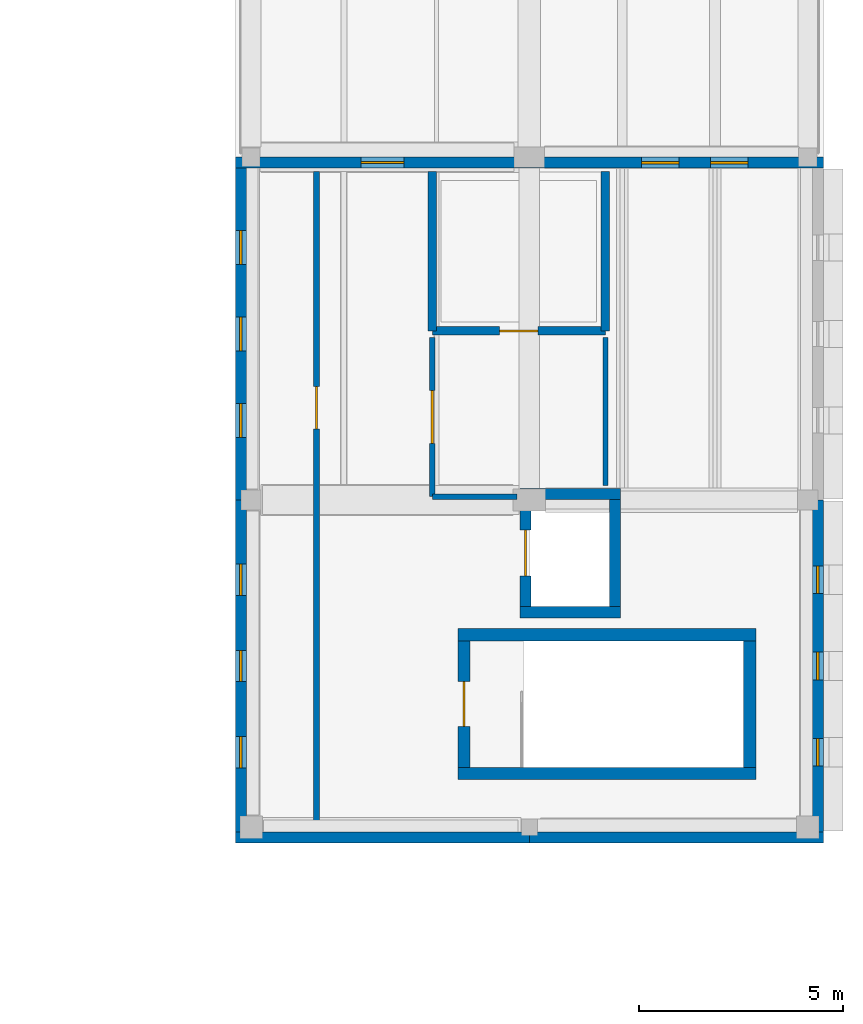
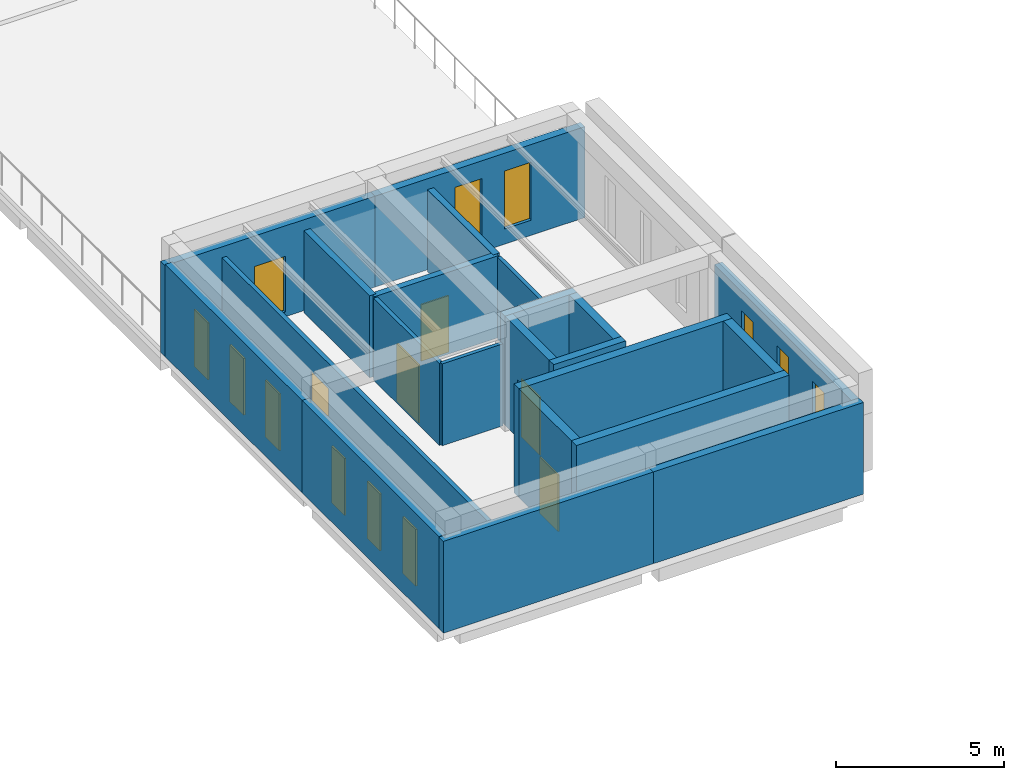
# One storey, part 25 of 34: 22 walls, 11 windows, 6 doors, 17 openings.
"""IFC4 building model written with IfcOpenShell, lengths in metres."""

import ifcopenshell
import ifcopenshell.guid

model = None  # the IFC model being written
_history = None  # IfcOwnerHistory: only IFC2X3 demands one
_inside = {}  # id of a spatial element -> (the spatial element, [elements in it])
_under = {}  # id of a project, library or spatial element -> (it, [spatial elements below it])
_declared = {}  # id of a project -> (the project, [libraries it declares])
_typed = {}  # id of a type object -> (the type object, [elements of that type])
_made_of = {}  # id of a material, layer set ... -> (it, [elements and type objects made of it])


def new_model(schema):
    """Start an empty IFC model of exactly this schema.

    Asked for "IFC4X3", IfcOpenShell would pick the latest addendum, in which some entities
    have other attributes; the version numbers below select the first issue.
    IFC2X3 requires an IfcOwnerHistory on every rooted entity: one is made here for all.
    """
    global model, _history
    if schema == "IFC4X3":
        model = ifcopenshell.file(schema_version=(4, 3, 0, 0))
    else:
        model = ifcopenshell.file(schema=schema)
    _inside.clear()
    _under.clear()
    _declared.clear()
    _typed.clear()
    _made_of.clear()
    _history = None
    if model.schema == "IFC2X3":
        org = make("IfcOrganization", Name="unknown")
        user = make(
            "IfcPersonAndOrganization",
            ThePerson=make("IfcPerson", FamilyName="unknown"),
            TheOrganization=org,
        )
        app = make(
            "IfcApplication",
            ApplicationDeveloper=org,
            Version="unknown",
            ApplicationFullName="unknown",
            ApplicationIdentifier="unknown",
        )
        _history = make(
            "IfcOwnerHistory",
            OwningUser=user,
            OwningApplication=app,
            ChangeAction="ADDED",
            CreationDate=0,
        )
    return model


def make(cls, **values):
    """One entity of the class cls with the attributes given. An attribute that is None is left unset."""
    return model.create_entity(
        cls, **{name: value for name, value in values.items() if value is not None}
    )


def rooted(cls, **values):
    """An entity with a GlobalId (a new one), such as an element, a storey or a relation."""
    return make(cls, GlobalId=ifcopenshell.guid.new(), OwnerHistory=_history, **values)


def si_unit(unit_type, name, prefix=None):
    """IfcSIUnit, for example si_unit("LENGTHUNIT", "METRE", prefix="MILLI")."""
    return make("IfcSIUnit", UnitType=unit_type, Prefix=prefix, Name=name)


def assignment(units):
    """IfcUnitAssignment: the units of a project."""
    return None if units is None else make("IfcUnitAssignment", Units=units)


def point(xyz):
    """IfcCartesianPoint."""
    return None if xyz is None else make("IfcCartesianPoint", Coordinates=xyz)


def direction(xyz):
    """IfcDirection."""
    return None if xyz is None else make("IfcDirection", DirectionRatios=xyz)


def frame(location, z_axis=None, x_axis=None):
    """IfcAxis2Placement3D, a coordinate frame: its origin and axes. An axis left out is left unset."""
    return make(
        "IfcAxis2Placement3D",
        Location=point(location),
        Axis=direction(z_axis),
        RefDirection=direction(x_axis),
    )


def frame_2d(location, x_axis=None):
    """IfcAxis2Placement2D, a coordinate frame in the plane: its origin and x axis."""
    return make(
        "IfcAxis2Placement2D", Location=point(location), RefDirection=direction(x_axis)
    )


def origin():
    """The frame at (0, 0, 0) with its axes left unset."""
    return frame((0.0, 0.0, 0.0))


def place(relative_to, where):
    """IfcLocalPlacement: puts the frame where relative to a parent placement (None: the world)."""
    return make(
        "IfcLocalPlacement", PlacementRelTo=relative_to, RelativePlacement=where
    )


def context(
    kind, dimensions, precision=None, world=None, true_north=None, identifier=None
):
    """IfcGeometricRepresentationContext, for example the 3D "Model" context."""
    return make(
        "IfcGeometricRepresentationContext",
        ContextIdentifier=identifier,
        ContextType=kind,
        CoordinateSpaceDimension=dimensions,
        Precision=precision,
        WorldCoordinateSystem=world,
        TrueNorth=true_north,
    )


def subcontext(parent, identifier, kind, view, scale=None):
    """IfcGeometricRepresentationSubContext, for example "Body" below "Model"."""
    return make(
        "IfcGeometricRepresentationSubContext",
        ContextIdentifier=identifier,
        ContextType=kind,
        ParentContext=parent,
        TargetScale=scale,
        TargetView=view,
    )


def project(units=None, contexts=None):
    """IfcProject with its units and contexts."""
    return rooted(
        "IfcProject",
        Name="project",
        RepresentationContexts=contexts,
        UnitsInContext=assignment(units),
    )


def spatial(cls, under=None, at=None, **own):
    """A site, building, storey or space (cls), placed at a placement, below another one or the project."""
    s = rooted(cls, ObjectPlacement=at, **own)
    if under is not None:
        _under.setdefault(under.id(), (under, []))[1].append(s)
    return s


def profile(cls, at=None, kind="AREA", **sizes):
    """A parametric profile (cls). Its sizes go by their IFC names, for example OverallWidth=200.0."""
    return make(cls, ProfileType=kind, Position=at, **sizes)


def rectangle(**sizes):
    """IfcRectangleProfileDef."""
    return profile("IfcRectangleProfileDef", **sizes)


def extrude(swept, where, along, depth):
    """IfcExtrudedAreaSolid: the profile swept, set in the frame where, extruded along a direction by depth."""
    return make(
        "IfcExtrudedAreaSolid",
        SweptArea=swept,
        Position=where,
        ExtrudedDirection=direction(along),
        Depth=depth,
    )


def shape(context_of_items, identifier, shape_type, items):
    """IfcShapeRepresentation: the items that make up one representation, for example the "Body"."""
    return make(
        "IfcShapeRepresentation",
        ContextOfItems=context_of_items,
        RepresentationIdentifier=identifier,
        RepresentationType=shape_type,
        Items=items,
    )


def material(Name=None, Category=None):
    """IfcMaterial."""
    return make("IfcMaterial", Name=Name, Category=Category)


def layer(
    of_material, thickness, ventilated=None, Name=None, Category=None, Priority=None
):
    """IfcMaterialLayer: one layer of a wall or slab, of a material (None: an air gap)."""
    return make(
        "IfcMaterialLayer",
        Material=of_material,
        LayerThickness=thickness,
        IsVentilated=ventilated,
        Name=Name,
        Category=Category,
        Priority=Priority,
    )


def layer_set(layers, Name=None):
    """IfcMaterialLayerSet."""
    return make("IfcMaterialLayerSet", MaterialLayers=layers, LayerSetName=Name)


def made_of(thing, what):
    """Note that an element or type object is made of a material, layer set ...; save() writes the relation."""
    if what is not None:
        _made_of.setdefault(what.id(), (what, []))[1].append(thing)
    return thing


def type_object(cls, material=None, **own):
    """A type object (cls), such as IfcWallType, which elements share."""
    return made_of(rooted(cls, **own), material)


def element(
    cls,
    number,
    at=None,
    inside=None,
    cuts=None,
    type_object=None,
    material=None,
    context=None,
    identifier="Body",
    shape_type=None,
    held_by="IfcProductDefinitionShape",
    body=None,
    shapes=None,
    **own,
):
    """One element of the class cls, such as IfcWall. Its Tag is "e" and its number.

    at: its placement. inside: the storey or other place that contains it. cuts: it is an
    opening in that element (IfcRelVoidsElement). A single representation is given by context,
    identifier, shape_type and body (its items); several are given by shapes. held_by: the class
    of the entity that holds the representations. save() writes the other relations.
    """
    e = rooted(cls, Tag="e%d" % number, ObjectPlacement=at, **own)
    if body is not None:
        shapes = [shape(context, identifier, shape_type, body)]
    if shapes is not None:
        e.Representation = make(held_by, Representations=shapes)
    if inside is not None:
        _inside.setdefault(inside.id(), (inside, []))[1].append(e)
    if cuts is not None:
        rooted(
            "IfcRelVoidsElement", RelatingBuildingElement=cuts, RelatedOpeningElement=e
        )
    if type_object is not None:
        _typed.setdefault(type_object.id(), (type_object, []))[1].append(e)
    return made_of(e, material)


def fill(opening, filler):
    """IfcRelFillsElement: the door or window that sits in an opening."""
    return rooted(
        "IfcRelFillsElement",
        RelatingOpeningElement=opening,
        RelatedBuildingElement=filler,
    )


def aggregate(whole, parts):
    """IfcRelAggregates: a whole, such as a stair, and the parts it consists of."""
    return rooted("IfcRelAggregates", RelatingObject=whole, RelatedObjects=parts)


def save(model, path):
    """Write the relations noted so far, then the file.

    IfcRelAggregates (storeys below a building ...), IfcRelContainedInSpatialStructure (elements
    in a storey), IfcRelDefinesByType, IfcRelAssociatesMaterial and IfcRelDeclares: one each for
    every whole, place, type object, material and project.
    """
    for whole, parts in _under.values():
        aggregate(whole, parts)
    for where, things in _inside.values():
        rooted(
            "IfcRelContainedInSpatialStructure",
            RelatedElements=things,
            RelatingStructure=where,
        )
    for kind, things in _typed.values():
        rooted("IfcRelDefinesByType", RelatedObjects=things, RelatingType=kind)
    for what, things in _made_of.values():
        rooted("IfcRelAssociatesMaterial", RelatedObjects=things, RelatingMaterial=what)
    for by, libraries in _declared.values():
        rooted("IfcRelDeclares", RelatingContext=by, RelatedDefinitions=libraries)
    model.write(path)


model = new_model("IFC4")

# Units and contexts
model_context = context("Model", 3, precision=1e-05, world=origin(), true_north=direction((0.0, 1.0)))
body_context = subcontext(model_context, "Body", "Model", "MODEL_VIEW")
ifc_project = project(units=[si_unit("LENGTHUNIT", "METRE"), si_unit("AREAUNIT", "SQUARE_METRE"), si_unit("VOLUMEUNIT", "CUBIC_METRE"), si_unit("PLANEANGLEUNIT", "RADIAN"), si_unit("MASSUNIT", "GRAM", prefix="KILO")], contexts=[model_context])

# Site, building, storey
site_placement = place(None, origin())
site = spatial("IfcSite", under=ifc_project, at=site_placement, CompositionType="ELEMENT")
building_placement = place(site_placement, origin())
building = spatial("IfcBuilding", under=site, at=building_placement, Name="Vardoun Plaza Health Centre", CompositionType="ELEMENT")
storey_placement = place(building_placement, frame((0.0, 0.0, 12.89990234375)))
storey = spatial("IfcBuildingStorey", under=building, at=storey_placement, Name="L03", CompositionType="ELEMENT", Elevation=12.89990234375)

# Wall
ifc_material_1 = material(Name="Concrete C40/50", Category="concrete")
ifc_layer_1 = layer(ifc_material_1, 0.27001953125)
ifc_layer_set_1 = layer_set([ifc_layer_1], Name="Concrete C40/50")
wall_type_1 = type_object("IfcWallType", Name="SW-03", PredefinedType="SHEAR", material=ifc_layer_set_1)
wall_1_placement = place(storey_placement, frame((160.3349609375, 41.949951171875, 0.0), z_axis=(0.0, 0.0, 1.0), x_axis=(-1.0, 0.0, 0.0)))
element("IfcWall", 1, at=wall_1_placement, inside=storey, type_object=wall_type_1, Name="Lift LP-05 L03 Shaft Wall S", PredefinedType="SHEAR", context=body_context, shape_type="SweptSolid", body=[
    extrude(rectangle(XDim=2.469970703125, YDim=0.27001953125, at=frame_2d((1.23486328125, 0.0))), origin(), (0.0, 0.0, 1.0), 3.9501953125),
])

# Wall, opening, door
wall_2_placement = place(storey_placement, frame((158.0, 42.0849609375, 0.0), z_axis=(0.0, 0.0, 1.0), x_axis=(0.0, 1.0, 0.0)))
wall_2 = element("IfcWall", 2, at=wall_2_placement, inside=storey, type_object=wall_type_1, Name="Lift LP-05 L03 Shaft Wall W", PredefinedType="SHEAR", context=body_context, shape_type="SweptSolid", body=[
    extrude(rectangle(XDim=2.630126953125, YDim=0.27001953125, at=frame_2d((1.31494140625, 0.0))), origin(), (0.0, 0.0, 1.0), 3.9501953125),
])
opening_1_placement = place(wall_2_placement, frame((0.7548828125, 0.0, 0.0)))
opening_1 = element("IfcOpeningElement", 3, at=opening_1_placement, cuts=wall_2, Name="Opening LD-LP-05-L03", PredefinedType="OPENING", context=body_context, shape_type="SweptSolid", body=[
    extrude(rectangle(XDim=1.1201171875, YDim=2.10009765625, at=frame_2d((0.56005859375, 1.050048828125))), frame((0.0, 0.135009765625, 0.0), z_axis=(0.0, -1.0, 0.0), x_axis=(1.0, 0.0, 0.0)), (0.0, 0.0, 1.0), 0.27001953125),
])
ifc_material_2 = material(Name="Brushed Stainless Steel Grade 316L", Category="steel")
door_type_1 = type_object("IfcDoorType", Name="LD-01", OperationType="DOUBLE_DOOR_SLIDING", PredefinedType="DOOR", material=ifc_material_2)
door_1_placement = place(opening_1_placement, origin())
door_1 = element("IfcDoor", 4, at=door_1_placement, inside=storey, type_object=door_type_1, Name="Lift LP-05 L03 Sliding Landing Door", OperationType="DOUBLE_DOOR_SLIDING", OverallHeight=2.10009765625, OverallWidth=1.1201171875, PredefinedType="DOOR", context=body_context, shape_type="SweptSolid", body=[
    extrude(rectangle(XDim=1.1201171875, YDim=2.10009765625, at=frame_2d((0.56005859375, 1.050048828125))), frame((0.0, 0.02490234375, 0.0), z_axis=(0.0, -1.0, 0.0), x_axis=(1.0, 0.0, 0.0)), (0.0, 0.0, 1.0), 0.050048828125),
])
fill(opening_1, door_1)

# Walls
wall_3_placement = place(storey_placement, frame((157.864990234375, 44.85009765625, 0.0), z_axis=(0.0, 0.0, 1.0), x_axis=(1.0, 0.0, 0.0)))
element("IfcWall", 5, at=wall_3_placement, inside=storey, type_object=wall_type_1, Name="Lift LP-05 L03 Shaft Wall N", PredefinedType="SHEAR", context=body_context, shape_type="SweptSolid", body=[
    extrude(rectangle(XDim=2.469970703125, YDim=0.27001953125, at=frame_2d((1.23486328125, 0.0))), origin(), (0.0, 0.0, 1.0), 3.9501953125),
])
wall_4_placement = place(storey_placement, frame((160.199951171875, 44.715087890625, 0.0), z_axis=(0.0, 0.0, 1.0), x_axis=(0.0, -1.0, 0.0)))
element("IfcWall", 6, at=wall_4_placement, inside=storey, type_object=wall_type_1, Name="Lift LP-05 L03 Shaft Wall E", PredefinedType="SHEAR", context=body_context, shape_type="SweptSolid", body=[
    extrude(rectangle(XDim=2.630126953125, YDim=0.27001953125, at=frame_2d((1.31494140625, 0.0))), origin(), (0.0, 0.0, 1.0), 3.9501953125),
])
ifc_material_3 = material(Name="Concrete C40/50", Category="concrete")
ifc_layer_2 = layer(ifc_material_3, 0.300048828125)
ifc_layer_set_2 = layer_set([ifc_layer_2], Name="Concrete C40/50")
wall_type_2 = type_object("IfcWallType", Name="SW-01", PredefinedType="SHEAR", material=ifc_layer_set_2)
wall_5_placement = place(storey_placement, frame((163.64990234375, 38.0, 0.0), z_axis=(0.0, 0.0, 1.0), x_axis=(-1.0, 0.0, 0.0)))
element("IfcWall", 7, at=wall_5_placement, inside=storey, type_object=wall_type_2, Name="Core C10 L03 Shear Wall S", PredefinedType="SHEAR", context=body_context, shape_type="SweptSolid", body=[
    extrude(rectangle(XDim=7.2998046875, YDim=0.300048828125, at=frame_2d((3.64990234375, 0.0))), origin(), (0.0, 0.0, 1.0), 3.9501953125),
])

# Wall, opening, door
wall_6_placement = place(storey_placement, frame((156.5, 38.14990234375, 0.0), z_axis=(0.0, 0.0, 1.0), x_axis=(0.0, 1.0, 0.0)))
wall_6 = element("IfcWall", 8, at=wall_6_placement, inside=storey, type_object=wall_type_2, Name="Core C10 L03 Shear Wall W", PredefinedType="SHEAR", context=body_context, shape_type="SweptSolid", body=[
    extrude(rectangle(XDim=3.10009765625, YDim=0.300048828125, at=frame_2d((1.550048828125, 0.0))), origin(), (0.0, 0.0, 1.0), 3.9501953125),
])
opening_2_placement = place(wall_6_placement, frame((1.0, 0.0, 0.0)))
opening_2 = element("IfcOpeningElement", 9, at=opening_2_placement, cuts=wall_6, Name="Opening SD-C10-L03", PredefinedType="OPENING", context=body_context, shape_type="SweptSolid", body=[
    extrude(rectangle(XDim=1.10009765625, YDim=2.050048828125, at=frame_2d((0.550048828125, 1.02490234375))), frame((0.0, 0.14990234375, 0.0), z_axis=(0.0, -1.0, 0.0), x_axis=(1.0, 0.0, 0.0)), (0.0, 0.0, 1.0), 0.300048828125),
])
ifc_material_4 = material(Name="Brushed Stainless Steel Grade 316L", Category="steel")
door_type_2 = type_object("IfcDoorType", Name="FD-01", OperationType="NOTDEFINED", PredefinedType="DOOR", material=ifc_material_4)
door_2_placement = place(opening_2_placement, origin())
door_2 = element("IfcDoor", 10, at=door_2_placement, inside=storey, type_object=door_type_2, Name="Stair C10 L03 Fire Door", OperationType="SINGLE_SWING_LEFT", OverallHeight=2.050048828125, OverallWidth=1.10009765625, PredefinedType="DOOR", context=body_context, shape_type="SweptSolid", body=[
    extrude(rectangle(XDim=1.10009765625, YDim=2.050048828125, at=frame_2d((0.550048828125, 1.02490234375))), frame((0.0, 0.02490234375, 0.0), z_axis=(0.0, -1.0, 0.0), x_axis=(1.0, 0.0, 0.0)), (0.0, 0.0, 1.0), 0.050048828125),
])
fill(opening_2, door_2)

# Walls
wall_7_placement = place(storey_placement, frame((156.35009765625, 41.39990234375, 0.0), z_axis=(0.0, 0.0, 1.0), x_axis=(1.0, 0.0, 0.0)))
element("IfcWall", 11, at=wall_7_placement, inside=storey, type_object=wall_type_2, Name="Core C10 L03 Shear Wall N", PredefinedType="SHEAR", context=body_context, shape_type="SweptSolid", body=[
    extrude(rectangle(XDim=7.2998046875, YDim=0.300048828125, at=frame_2d((3.64990234375, 0.0))), origin(), (0.0, 0.0, 1.0), 3.9501953125),
])
wall_8_placement = place(storey_placement, frame((163.5, 41.25, 0.0), z_axis=(0.0, 0.0, 1.0), x_axis=(0.0, -1.0, 0.0)))
element("IfcWall", 12, at=wall_8_placement, inside=storey, type_object=wall_type_2, Name="Core C10 L03 Shear Wall E", PredefinedType="SHEAR", context=body_context, shape_type="SweptSolid", body=[
    extrude(rectangle(XDim=3.10009765625, YDim=0.300048828125, at=frame_2d((1.550048828125, 0.0))), origin(), (0.0, 0.0, 1.0), 3.9501953125),
])

# Wall, opening, door
ifc_material_5 = material(Name="Pale Limestone Concrete C35/45", Category="masonry")
ifc_layer_3 = layer(ifc_material_5, 0.264892578125)
ifc_layer_set_3 = layer_set([ifc_layer_3], Name="Pale Limestone Concrete C35/45")
wall_type_3 = type_object("IfcWallType", Name="EW-06", PredefinedType="STANDARD", material=ifc_layer_set_3)
wall_9_placement = place(storey_placement, frame((150.89990234375, 52.967529296875, 0.0), z_axis=(0.0, 0.0, 1.0), x_axis=(1.0, 0.0, 0.0)))
wall_9 = element("IfcWall", 13, at=wall_9_placement, inside=storey, type_object=wall_type_3, Name="V6 L03 Exterior Wall EW-V6-445", PredefinedType="STANDARD", context=body_context, shape_type="SweptSolid", body=[
    extrude(rectangle(XDim=7.2001953125, YDim=0.264892578125, at=frame_2d((3.60009765625, 0.0))), origin(), (0.0, 0.0, 1.0), 3.295166015625),
])
opening_3_placement = place(wall_9_placement, frame((3.074951171875, 0.0, 0.169921875)))
opening_3 = element("IfcOpeningElement", 14, at=opening_3_placement, cuts=wall_9, Name="Opening TD-V6-L03", PredefinedType="OPENING", context=body_context, shape_type="SweptSolid", body=[
    extrude(rectangle(XDim=1.050048828125, YDim=2.02001953125, at=frame_2d((0.52490234375, 1.010009765625))), frame((0.0, 0.13232421875, 0.0), z_axis=(0.0, -1.0, 0.0), x_axis=(1.0, 0.0, 0.0)), (0.0, 0.0, 1.0), 0.264892578125),
])
ifc_material_6 = material(Name="Aluminium Alloy EN AW-6063-T6 Garden Door", Category="aluminium")
door_type_3 = type_object("IfcDoorType", Name="ED-05", OperationType="NOTDEFINED", PredefinedType="DOOR", material=ifc_material_6)
door_3_placement = place(opening_3_placement, origin())
door_3 = element("IfcDoor", 15, at=door_3_placement, inside=storey, type_object=door_type_3, Name="V6 Therapy Roof-Garden Access Door", OperationType="SINGLE_SWING_LEFT", OverallHeight=2.02001953125, OverallWidth=1.050048828125, PredefinedType="DOOR", context=body_context, shape_type="SweptSolid", body=[
    extrude(rectangle(XDim=1.050048828125, YDim=2.02001953125, at=frame_2d((0.52490234375, 1.010009765625))), frame((0.0, 0.02490234375, 0.0), z_axis=(0.0, -1.0, 0.0), x_axis=(1.0, 0.0, 0.0)), (0.0, 0.0, 1.0), 0.050048828125),
])
fill(opening_3, door_3)

# Wall, openings, windows
wall_10_placement = place(storey_placement, frame((158.10009765625, 52.967529296875, 0.0), z_axis=(0.0, 0.0, 1.0), x_axis=(1.0, 0.0, 0.0)))
wall_10 = element("IfcWall", 16, at=wall_10_placement, inside=storey, type_object=wall_type_3, Name="V6 L03 Exterior Wall EW-V6-446", PredefinedType="STANDARD", context=body_context, shape_type="SweptSolid", body=[
    extrude(rectangle(XDim=7.199951171875, YDim=0.264892578125, at=frame_2d((3.60009765625, 0.0))), origin(), (0.0, 0.0, 1.0), 3.295166015625),
])
opening_4_placement = place(wall_10_placement, frame((2.743896484375, 0.0, 0.550048828125)))
opening_4 = element("IfcOpeningElement", 17, at=opening_4_placement, cuts=wall_10, Name="Opening W-19-010", PredefinedType="OPENING", context=body_context, shape_type="SweptSolid", body=[
    extrude(rectangle(XDim=0.919921875, YDim=2.10009765625, at=frame_2d((0.4599609375, 1.050048828125))), frame((0.0, 0.13232421875, 0.0), z_axis=(0.0, -1.0, 0.0), x_axis=(1.0, 0.0, 0.0)), (0.0, 0.0, 1.0), 0.264892578125),
])
opening_5_placement = place(wall_10_placement, frame((4.43603515625, 0.0, 0.550048828125)))
opening_5 = element("IfcOpeningElement", 18, at=opening_5_placement, cuts=wall_10, Name="Opening W-19-011", PredefinedType="OPENING", context=body_context, shape_type="SweptSolid", body=[
    extrude(rectangle(XDim=0.919921875, YDim=2.10009765625, at=frame_2d((0.4599609375, 1.050048828125))), frame((0.0, 0.13232421875, 0.0), z_axis=(0.0, -1.0, 0.0), x_axis=(1.0, 0.0, 0.0)), (0.0, 0.0, 1.0), 0.264892578125),
])
ifc_material_7 = material(Name="Aluminium Alloy EN AW-6063-T6 and Low-E Glass", Category="aluminium")
window_type_1 = type_object("IfcWindowType", Name="W-19", PartitioningType="DOUBLE_PANEL_VERTICAL", PredefinedType="WINDOW", material=ifc_material_7)
window_1_placement = place(opening_4_placement, origin())
window_1 = element("IfcWindow", 19, at=window_1_placement, inside=storey, type_object=window_type_1, Name="V6 L03 Deep-Punched Slot Window W-19-696", OverallHeight=2.10009765625, OverallWidth=0.919921875, PartitioningType="DOUBLE_PANEL_VERTICAL", PredefinedType="WINDOW", context=body_context, shape_type="SweptSolid", body=[
    extrude(rectangle(XDim=0.919921875, YDim=2.10009765625, at=frame_2d((0.4599609375, 1.050048828125))), frame((0.0, 0.030029296875, 0.0), z_axis=(0.0, -1.0, 0.0), x_axis=(1.0, 0.0, 0.0)), (0.0, 0.0, 1.0), 0.06005859375),
])
fill(opening_4, window_1)
window_2_placement = place(opening_5_placement, origin())
window_2 = element("IfcWindow", 20, at=window_2_placement, inside=storey, type_object=window_type_1, Name="V6 L03 Deep-Punched Slot Window W-19-697", OverallHeight=2.10009765625, OverallWidth=0.919921875, PartitioningType="DOUBLE_PANEL_VERTICAL", PredefinedType="WINDOW", context=body_context, shape_type="SweptSolid", body=[
    extrude(rectangle(XDim=0.919921875, YDim=2.10009765625, at=frame_2d((0.4599609375, 1.050048828125))), frame((0.0, 0.030029296875, 0.0), z_axis=(0.0, -1.0, 0.0), x_axis=(1.0, 0.0, 0.0)), (0.0, 0.0, 1.0), 0.06005859375),
])
fill(opening_5, window_2)

wall_11_placement = place(storey_placement, frame((165.16748046875, 44.699951171875, 0.0), z_axis=(0.0, 0.0, 1.0), x_axis=(0.0, -1.0, 0.0)))
wall_11 = element("IfcWall", 21, at=wall_11_placement, inside=storey, type_object=wall_type_3, Name="V6 L03 Exterior Wall EW-V6-448", PredefinedType="STANDARD", context=body_context, shape_type="SweptSolid", body=[
    extrude(rectangle(XDim=8.135009765625, YDim=0.264892578125, at=frame_2d((4.0673828125, 0.0))), origin(), (0.0, 0.0, 1.0), 3.3251953125),
])
opening_6_placement = place(wall_11_placement, frame((1.6123046875, 0.0, 0.550048828125)))
opening_6 = element("IfcOpeningElement", 22, at=opening_6_placement, cuts=wall_11, Name="Opening W-22-013", PredefinedType="OPENING", context=body_context, shape_type="SweptSolid", body=[
    extrude(rectangle(XDim=0.679931640625, YDim=2.080078125, at=frame_2d((0.33984375, 1.0400390625))), frame((0.0, 0.13232421875, 0.0), z_axis=(0.0, -1.0, 0.0), x_axis=(1.0, 0.0, 0.0)), (0.0, 0.0, 1.0), 0.264892578125),
])
opening_7_placement = place(wall_11_placement, frame((3.7275390625, 0.0, 0.550048828125)))
opening_7 = element("IfcOpeningElement", 23, at=opening_7_placement, cuts=wall_11, Name="Opening W-22-014", PredefinedType="OPENING", context=body_context, shape_type="SweptSolid", body=[
    extrude(rectangle(XDim=0.679931640625, YDim=2.080078125, at=frame_2d((0.33984375, 1.0400390625))), frame((0.0, 0.13232421875, 0.0), z_axis=(0.0, -1.0, 0.0), x_axis=(1.0, 0.0, 0.0)), (0.0, 0.0, 1.0), 0.264892578125),
])
opening_8_placement = place(wall_11_placement, frame((5.842529296875, 0.0, 0.550048828125)))
opening_8 = element("IfcOpeningElement", 24, at=opening_8_placement, cuts=wall_11, Name="Opening W-22-015", PredefinedType="OPENING", context=body_context, shape_type="SweptSolid", body=[
    extrude(rectangle(XDim=0.679931640625, YDim=2.080078125, at=frame_2d((0.33984375, 1.0400390625))), frame((0.0, 0.13232421875, 0.0), z_axis=(0.0, -1.0, 0.0), x_axis=(1.0, 0.0, 0.0)), (0.0, 0.0, 1.0), 0.264892578125),
])
ifc_material_8 = material(Name="Aluminium Alloy EN AW-6063-T6 and Low-E Glass", Category="aluminium")
window_type_2 = type_object("IfcWindowType", Name="W-22", PartitioningType="SINGLE_PANEL", PredefinedType="WINDOW", material=ifc_material_8)
window_3_placement = place(opening_6_placement, origin())
window_3 = element("IfcWindow", 25, at=window_3_placement, inside=storey, type_object=window_type_2, Name="V6 L03 Deep-Punched Slot Window W-22-701", OverallHeight=2.080078125, OverallWidth=0.679931640625, PartitioningType="SINGLE_PANEL", PredefinedType="WINDOW", context=body_context, shape_type="SweptSolid", body=[
    extrude(rectangle(XDim=0.679931640625, YDim=2.080078125, at=frame_2d((0.33984375, 1.0400390625))), frame((0.0, 0.030029296875, 0.0), z_axis=(0.0, -1.0, 0.0), x_axis=(1.0, 0.0, 0.0)), (0.0, 0.0, 1.0), 0.06005859375),
])
fill(opening_6, window_3)
window_4_placement = place(opening_7_placement, origin())
window_4 = element("IfcWindow", 26, at=window_4_placement, inside=storey, type_object=window_type_2, Name="V6 L03 Deep-Punched Slot Window W-22-702", OverallHeight=2.080078125, OverallWidth=0.679931640625, PartitioningType="SINGLE_PANEL", PredefinedType="WINDOW", context=body_context, shape_type="SweptSolid", body=[
    extrude(rectangle(XDim=0.679931640625, YDim=2.080078125, at=frame_2d((0.33984375, 1.0400390625))), frame((0.0, 0.030029296875, 0.0), z_axis=(0.0, -1.0, 0.0), x_axis=(1.0, 0.0, 0.0)), (0.0, 0.0, 1.0), 0.06005859375),
])
fill(opening_7, window_4)
window_5_placement = place(opening_8_placement, origin())
window_5 = element("IfcWindow", 27, at=window_5_placement, inside=storey, type_object=window_type_2, Name="V6 L03 Deep-Punched Slot Window W-22-703", OverallHeight=2.080078125, OverallWidth=0.679931640625, PartitioningType="SINGLE_PANEL", PredefinedType="WINDOW", context=body_context, shape_type="SweptSolid", body=[
    extrude(rectangle(XDim=0.679931640625, YDim=2.080078125, at=frame_2d((0.33984375, 1.0400390625))), frame((0.0, 0.030029296875, 0.0), z_axis=(0.0, -1.0, 0.0), x_axis=(1.0, 0.0, 0.0)), (0.0, 0.0, 1.0), 0.06005859375),
])
fill(opening_8, window_5)

# Walls
wall_12_placement = place(storey_placement, frame((165.300048828125, 36.4326171875, 0.0), z_axis=(0.0, 0.0, 1.0), x_axis=(-1.0, 0.0, 0.0)))
element("IfcWall", 28, at=wall_12_placement, inside=storey, type_object=wall_type_3, Name="V6 L03 Exterior Wall EW-V6-449", PredefinedType="STANDARD", context=body_context, shape_type="SweptSolid", body=[
    extrude(rectangle(XDim=7.199951171875, YDim=0.264892578125, at=frame_2d((3.60009765625, 0.0))), origin(), (0.0, 0.0, 1.0), 3.3251953125),
])
wall_13_placement = place(storey_placement, frame((158.10009765625, 36.4326171875, 0.0), z_axis=(0.0, 0.0, 1.0), x_axis=(-1.0, 0.0, 0.0)))
element("IfcWall", 29, at=wall_13_placement, inside=storey, type_object=wall_type_3, Name="V6 L03 Exterior Wall EW-V6-450", PredefinedType="STANDARD", context=body_context, shape_type="SweptSolid", body=[
    extrude(rectangle(XDim=7.2001953125, YDim=0.264892578125, at=frame_2d((3.60009765625, 0.0))), origin(), (0.0, 0.0, 1.0), 3.3251953125),
])

# Wall, openings, windows
wall_14_placement = place(storey_placement, frame((151.032470703125, 36.56494140625, 0.0), z_axis=(0.0, 0.0, 1.0), x_axis=(0.0, 1.0, 0.0)))
wall_14 = element("IfcWall", 30, at=wall_14_placement, inside=storey, type_object=wall_type_3, Name="V6 L03 Exterior Wall EW-V6-451", PredefinedType="STANDARD", context=body_context, shape_type="SweptSolid", body=[
    extrude(rectangle(XDim=8.135009765625, YDim=0.264892578125, at=frame_2d((4.0673828125, 0.0))), origin(), (0.0, 0.0, 1.0), 3.34521484375),
])
opening_9_placement = place(wall_14_placement, frame((1.5673828125, 0.0, 0.550048828125)))
opening_9 = element("IfcOpeningElement", 31, at=opening_9_placement, cuts=wall_14, Name="Opening W-33-014", PredefinedType="OPENING", context=body_context, shape_type="SweptSolid", body=[
    extrude(rectangle(XDim=0.77001953125, YDim=2.06005859375, at=frame_2d((0.385009765625, 1.030029296875))), frame((0.0, 0.13232421875, 0.0), z_axis=(0.0, -1.0, 0.0), x_axis=(1.0, 0.0, 0.0)), (0.0, 0.0, 1.0), 0.264892578125),
])
opening_10_placement = place(wall_14_placement, frame((3.6826171875, 0.0, 0.550048828125)))
opening_10 = element("IfcOpeningElement", 32, at=opening_10_placement, cuts=wall_14, Name="Opening W-33-015", PredefinedType="OPENING", context=body_context, shape_type="SweptSolid", body=[
    extrude(rectangle(XDim=0.77001953125, YDim=2.06005859375, at=frame_2d((0.385009765625, 1.030029296875))), frame((0.0, 0.13232421875, 0.0), z_axis=(0.0, -1.0, 0.0), x_axis=(1.0, 0.0, 0.0)), (0.0, 0.0, 1.0), 0.264892578125),
])
opening_11_placement = place(wall_14_placement, frame((5.797607421875, 0.0, 0.550048828125)))
opening_11 = element("IfcOpeningElement", 33, at=opening_11_placement, cuts=wall_14, Name="Opening W-33-016", PredefinedType="OPENING", context=body_context, shape_type="SweptSolid", body=[
    extrude(rectangle(XDim=0.77001953125, YDim=2.06005859375, at=frame_2d((0.385009765625, 1.030029296875))), frame((0.0, 0.13232421875, 0.0), z_axis=(0.0, -1.0, 0.0), x_axis=(1.0, 0.0, 0.0)), (0.0, 0.0, 1.0), 0.264892578125),
])
ifc_material_9 = material(Name="Aluminium Alloy EN AW-6063-T6 and Low-E Glass", Category="aluminium")
window_type_3 = type_object("IfcWindowType", Name="W-33", PartitioningType="SINGLE_PANEL", PredefinedType="WINDOW", material=ifc_material_9)
window_6_placement = place(opening_9_placement, origin())
window_6 = element("IfcWindow", 34, at=window_6_placement, inside=storey, type_object=window_type_3, Name="V6 L03 Deep-Punched Slot Window W-33-704", OverallHeight=2.06005859375, OverallWidth=0.77001953125, PartitioningType="SINGLE_PANEL", PredefinedType="WINDOW", context=body_context, shape_type="SweptSolid", body=[
    extrude(rectangle(XDim=0.77001953125, YDim=2.06005859375, at=frame_2d((0.385009765625, 1.030029296875))), frame((0.0, 0.030029296875, 0.0), z_axis=(0.0, -1.0, 0.0), x_axis=(1.0, 0.0, 0.0)), (0.0, 0.0, 1.0), 0.06005859375),
])
fill(opening_9, window_6)
window_7_placement = place(opening_10_placement, origin())
window_7 = element("IfcWindow", 35, at=window_7_placement, inside=storey, type_object=window_type_3, Name="V6 L03 Deep-Punched Slot Window W-33-705", OverallHeight=2.06005859375, OverallWidth=0.77001953125, PartitioningType="SINGLE_PANEL", PredefinedType="WINDOW", context=body_context, shape_type="SweptSolid", body=[
    extrude(rectangle(XDim=0.77001953125, YDim=2.06005859375, at=frame_2d((0.385009765625, 1.030029296875))), frame((0.0, 0.030029296875, 0.0), z_axis=(0.0, -1.0, 0.0), x_axis=(1.0, 0.0, 0.0)), (0.0, 0.0, 1.0), 0.06005859375),
])
fill(opening_10, window_7)
window_8_placement = place(opening_11_placement, origin())
window_8 = element("IfcWindow", 36, at=window_8_placement, inside=storey, type_object=window_type_3, Name="V6 L03 Deep-Punched Slot Window W-33-706", OverallHeight=2.06005859375, OverallWidth=0.77001953125, PartitioningType="SINGLE_PANEL", PredefinedType="WINDOW", context=body_context, shape_type="SweptSolid", body=[
    extrude(rectangle(XDim=0.77001953125, YDim=2.06005859375, at=frame_2d((0.385009765625, 1.030029296875))), frame((0.0, 0.030029296875, 0.0), z_axis=(0.0, -1.0, 0.0), x_axis=(1.0, 0.0, 0.0)), (0.0, 0.0, 1.0), 0.06005859375),
])
fill(opening_11, window_8)

wall_15_placement = place(storey_placement, frame((151.032470703125, 44.699951171875, 0.0), z_axis=(0.0, 0.0, 1.0), x_axis=(0.0, 1.0, 0.0)))
wall_15 = element("IfcWall", 37, at=wall_15_placement, inside=storey, type_object=wall_type_3, Name="V6 L03 Exterior Wall EW-V6-452", PredefinedType="STANDARD", context=body_context, shape_type="SweptSolid", body=[
    extrude(rectangle(XDim=8.135009765625, YDim=0.264892578125, at=frame_2d((4.0673828125, 0.0))), origin(), (0.0, 0.0, 1.0), 3.34521484375),
])
opening_12_placement = place(wall_15_placement, frame((1.537353515625, 0.0, 0.550048828125)))
opening_12 = element("IfcOpeningElement", 38, at=opening_12_placement, cuts=wall_15, Name="Opening W-34-014", PredefinedType="OPENING", context=body_context, shape_type="SweptSolid", body=[
    extrude(rectangle(XDim=0.830078125, YDim=2.06005859375, at=frame_2d((0.4150390625, 1.030029296875))), frame((0.0, 0.13232421875, 0.0), z_axis=(0.0, -1.0, 0.0), x_axis=(1.0, 0.0, 0.0)), (0.0, 0.0, 1.0), 0.264892578125),
])
opening_13_placement = place(wall_15_placement, frame((3.652587890625, 0.0, 0.550048828125)))
opening_13 = element("IfcOpeningElement", 39, at=opening_13_placement, cuts=wall_15, Name="Opening W-34-015", PredefinedType="OPENING", context=body_context, shape_type="SweptSolid", body=[
    extrude(rectangle(XDim=0.830078125, YDim=2.06005859375, at=frame_2d((0.4150390625, 1.030029296875))), frame((0.0, 0.13232421875, 0.0), z_axis=(0.0, -1.0, 0.0), x_axis=(1.0, 0.0, 0.0)), (0.0, 0.0, 1.0), 0.264892578125),
])
opening_14_placement = place(wall_15_placement, frame((5.767578125, 0.0, 0.550048828125)))
opening_14 = element("IfcOpeningElement", 40, at=opening_14_placement, cuts=wall_15, Name="Opening W-34-016", PredefinedType="OPENING", context=body_context, shape_type="SweptSolid", body=[
    extrude(rectangle(XDim=0.830078125, YDim=2.06005859375, at=frame_2d((0.4150390625, 1.030029296875))), frame((0.0, 0.13232421875, 0.0), z_axis=(0.0, -1.0, 0.0), x_axis=(1.0, 0.0, 0.0)), (0.0, 0.0, 1.0), 0.264892578125),
])
ifc_material_10 = material(Name="Aluminium Alloy EN AW-6063-T6 and Low-E Glass", Category="aluminium")
window_type_4 = type_object("IfcWindowType", Name="W-34", PartitioningType="SINGLE_PANEL", PredefinedType="WINDOW", material=ifc_material_10)
window_9_placement = place(opening_12_placement, origin())
window_9 = element("IfcWindow", 41, at=window_9_placement, inside=storey, type_object=window_type_4, Name="V6 L03 Deep-Punched Slot Window W-34-707", OverallHeight=2.06005859375, OverallWidth=0.830078125, PartitioningType="SINGLE_PANEL", PredefinedType="WINDOW", context=body_context, shape_type="SweptSolid", body=[
    extrude(rectangle(XDim=0.830078125, YDim=2.06005859375, at=frame_2d((0.4150390625, 1.030029296875))), frame((0.0, 0.030029296875, 0.0), z_axis=(0.0, -1.0, 0.0), x_axis=(1.0, 0.0, 0.0)), (0.0, 0.0, 1.0), 0.06005859375),
])
fill(opening_12, window_9)
window_10_placement = place(opening_13_placement, origin())
window_10 = element("IfcWindow", 42, at=window_10_placement, inside=storey, type_object=window_type_4, Name="V6 L03 Deep-Punched Slot Window W-34-708", OverallHeight=2.06005859375, OverallWidth=0.830078125, PartitioningType="SINGLE_PANEL", PredefinedType="WINDOW", context=body_context, shape_type="SweptSolid", body=[
    extrude(rectangle(XDim=0.830078125, YDim=2.06005859375, at=frame_2d((0.4150390625, 1.030029296875))), frame((0.0, 0.030029296875, 0.0), z_axis=(0.0, -1.0, 0.0), x_axis=(1.0, 0.0, 0.0)), (0.0, 0.0, 1.0), 0.06005859375),
])
fill(opening_13, window_10)
window_11_placement = place(opening_14_placement, origin())
window_11 = element("IfcWindow", 43, at=window_11_placement, inside=storey, type_object=window_type_4, Name="V6 L03 Deep-Punched Slot Window W-34-709", OverallHeight=2.06005859375, OverallWidth=0.830078125, PartitioningType="SINGLE_PANEL", PredefinedType="WINDOW", context=body_context, shape_type="SweptSolid", body=[
    extrude(rectangle(XDim=0.830078125, YDim=2.06005859375, at=frame_2d((0.4150390625, 1.030029296875))), frame((0.0, 0.030029296875, 0.0), z_axis=(0.0, -1.0, 0.0), x_axis=(1.0, 0.0, 0.0)), (0.0, 0.0, 1.0), 0.06005859375),
])
fill(opening_14, window_11)

# Wall, opening, door
ifc_material_11 = material(Name="Acoustic Gypsum Twin-Stud", Category="steel")
ifc_layer_4 = layer(ifc_material_11, 0.14990234375)
ifc_layer_set_4 = layer_set([ifc_layer_4], Name="Acoustic Gypsum Twin-Stud")
wall_type_4 = type_object("IfcWallType", Name="IW-04", PredefinedType="PARTITIONING", material=ifc_layer_set_4)
wall_16_placement = place(storey_placement, frame((152.8798828125, 52.75, 0.0), z_axis=(0.0, 0.0, 1.0), x_axis=(0.0, -1.0, 0.0)))
wall_16 = element("IfcWall", 44, at=wall_16_placement, inside=storey, type_object=wall_type_4, Name="Therapy Garden Pavilion Lounge Partition Wall", PredefinedType="PARTITIONING", context=body_context, shape_type="SweptSolid", body=[
    extrude(rectangle(XDim=16.10009765625, YDim=0.14990234375, at=frame_2d((8.050048828125, 0.0))), origin(), (0.0, 0.0, 1.0), 2.97021484375),
])
opening_15_placement = place(wall_16_placement, frame((5.27099609375, 0.0, 0.0)))
opening_15 = element("IfcOpeningElement", 45, at=opening_15_placement, cuts=wall_16, Name="Opening D-L03-182", PredefinedType="OPENING", context=body_context, shape_type="SweptSolid", body=[
    extrude(rectangle(XDim=1.0400390625, YDim=2.050048828125, at=frame_2d((0.52001953125, 1.02490234375))), frame((0.0, 0.074951171875, 0.0), z_axis=(0.0, -1.0, 0.0), x_axis=(1.0, 0.0, 0.0)), (0.0, 0.0, 1.0), 0.14990234375),
])
ifc_material_12 = material(Name="Antimicrobial Acoustic Timber and Steel S275JR", Category="steel")
door_type_4 = type_object("IfcDoorType", Name="CD-04", OperationType="NOTDEFINED", PredefinedType="DOOR", material=ifc_material_12)
door_4_placement = place(opening_15_placement, origin())
door_4 = element("IfcDoor", 46, at=door_4_placement, inside=storey, type_object=door_type_4, Name="Therapy Garden Pavilion Lounge Door D-L03-182", OperationType="SINGLE_SWING_RIGHT", OverallHeight=2.050048828125, OverallWidth=1.0400390625, PredefinedType="DOOR", context=body_context, shape_type="SweptSolid", body=[
    extrude(rectangle(XDim=1.0400390625, YDim=2.050048828125, at=frame_2d((0.52001953125, 1.02490234375))), frame((0.0, 0.02490234375, 0.0), z_axis=(0.0, -1.0, 0.0), x_axis=(1.0, 0.0, 0.0)), (0.0, 0.0, 1.0), 0.050048828125),
])
fill(opening_15, door_4)

# Walls
ifc_material_13 = material(Name="Standard Clinical Sub-Partition", Category="steel")
ifc_layer_5 = layer(ifc_material_13, 0.125)
ifc_layer_set_5 = layer_set([ifc_layer_5], Name="Standard Clinical Sub-Partition")
wall_type_5 = type_object("IfcWallType", Name="IW-11", PredefinedType="PARTITIONING", material=ifc_layer_set_5)
wall_17_placement = place(storey_placement, frame((157.800048828125, 44.780029296875, 0.0), z_axis=(0.0, 0.0, 1.0), x_axis=(-1.0, 0.0, 0.0)))
element("IfcWall", 47, at=wall_17_placement, inside=storey, type_object=wall_type_5, Name="Horticultural Therapy Room Enclosure Partition", PredefinedType="PARTITIONING", context=body_context, shape_type="SweptSolid", body=[
    extrude(rectangle(XDim=2.080078125, YDim=0.125, at=frame_2d((1.0400390625, 0.0))), origin(), (0.0, 0.0, 1.0), 2.97021484375),
])
wall_18_placement = place(storey_placement, frame((159.9599609375, 48.68505859375, 0.0), z_axis=(0.0, 0.0, 1.0), x_axis=(0.0, -1.0, 0.0)))
element("IfcWall", 48, at=wall_18_placement, inside=storey, type_object=wall_type_5, Name="Horticultural Therapy Room Enclosure Partition", PredefinedType="PARTITIONING", context=body_context, shape_type="SweptSolid", body=[
    extrude(rectangle(XDim=3.635009765625, YDim=0.125, at=frame_2d((1.8173828125, 0.0))), origin(), (0.0, 0.0, 1.0), 2.97021484375),
])

# Wall, opening, door
ifc_material_14 = material(Name="Acoustic Demountable Seminar Wall", Category="steel")
ifc_layer_6 = layer(ifc_material_14, 0.135009765625)
ifc_layer_set_6 = layer_set([ifc_layer_6], Name="Acoustic Demountable Seminar Wall")
wall_type_6 = type_object("IfcWallType", Name="IW-07", PredefinedType="MOVABLE", material=ifc_layer_set_6)
wall_19_placement = place(storey_placement, frame((155.719970703125, 44.780029296875, 0.0), z_axis=(0.0, 0.0, 1.0), x_axis=(0.0, 1.0, 0.0)))
wall_19 = element("IfcWall", 49, at=wall_19_placement, inside=storey, type_object=wall_type_6, Name="Horticultural Therapy Room Partition Wall", PredefinedType="MOVABLE", context=body_context, shape_type="SweptSolid", body=[
    extrude(rectangle(XDim=3.905029296875, YDim=0.135009765625, at=frame_2d((1.95263671875, 0.0))), origin(), (0.0, 0.0, 1.0), 2.97021484375),
])
opening_16_placement = place(wall_19_placement, frame((1.302490234375, 0.0, 0.0)))
opening_16 = element("IfcOpeningElement", 50, at=opening_16_placement, cuts=wall_19, Name="Opening D-L03-183", PredefinedType="OPENING", context=body_context, shape_type="SweptSolid", body=[
    extrude(rectangle(XDim=1.300048828125, YDim=2.10009765625, at=frame_2d((0.64990234375, 1.050048828125))), frame((0.0, 0.0673828125, 0.0), z_axis=(0.0, -1.0, 0.0), x_axis=(1.0, 0.0, 0.0)), (0.0, 0.0, 1.0), 0.135009765625),
])
ifc_material_15 = material(Name="Antimicrobial Acoustic Timber and Steel S275JR", Category="steel")
door_type_5 = type_object("IfcDoorType", Name="CD-09", OperationType="NOTDEFINED", PredefinedType="DOOR", material=ifc_material_15)
door_5_placement = place(opening_16_placement, origin())
door_5 = element("IfcDoor", 51, at=door_5_placement, inside=storey, type_object=door_type_5, Name="Horticultural Therapy Room Door D-L03-183", OperationType="SINGLE_SWING_LEFT", OverallHeight=2.10009765625, OverallWidth=1.300048828125, PredefinedType="DOOR", context=body_context, shape_type="SweptSolid", body=[
    extrude(rectangle(XDim=1.300048828125, YDim=2.10009765625, at=frame_2d((0.64990234375, 1.050048828125))), frame((0.0, 0.02490234375, 0.0), z_axis=(0.0, -1.0, 0.0), x_axis=(1.0, 0.0, 0.0)), (0.0, 0.0, 1.0), 0.050048828125),
])
fill(opening_16, door_5)

ifc_material_16 = material(Name="Moisture-Resistant Plumbing Chase", Category="steel")
ifc_layer_7 = layer(ifc_material_16, 0.215087890625)
ifc_layer_set_7 = layer_set([ifc_layer_7], Name="Moisture-Resistant Plumbing Chase")
wall_type_7 = type_object("IfcWallType", Name="IW-06", PredefinedType="PLUMBINGWALL", material=ifc_layer_set_7)
wall_20_placement = place(storey_placement, frame((159.9599609375, 48.844970703125, 0.0), z_axis=(0.0, 0.0, 1.0), x_axis=(-1.0, 0.0, 0.0)))
wall_20 = element("IfcWall", 52, at=wall_20_placement, inside=storey, type_object=wall_type_7, Name="Accessible WC L03-V6 Partition Wall", PredefinedType="PLUMBINGWALL", context=body_context, shape_type="SweptSolid", body=[
    extrude(rectangle(XDim=4.239990234375, YDim=0.215087890625, at=frame_2d((2.1201171875, 0.0))), origin(), (0.0, 0.0, 1.0), 2.97021484375),
])
opening_17_placement = place(wall_20_placement, frame((1.64501953125, 0.0, 0.0)))
opening_17 = element("IfcOpeningElement", 53, at=opening_17_placement, cuts=wall_20, Name="Opening D-L03-181", PredefinedType="OPENING", context=body_context, shape_type="SweptSolid", body=[
    extrude(rectangle(XDim=0.949951171875, YDim=2.050048828125, at=frame_2d((0.47509765625, 1.02490234375))), frame((0.0, 0.107421875, 0.0), z_axis=(0.0, -1.0, 0.0), x_axis=(1.0, 0.0, 0.0)), (0.0, 0.0, 1.0), 0.215087890625),
])
ifc_material_17 = material(Name="Antimicrobial Acoustic Timber and Steel S275JR", Category="steel")
door_type_6 = type_object("IfcDoorType", Name="CD-07", OperationType="NOTDEFINED", PredefinedType="DOOR", material=ifc_material_17)
door_6_placement = place(opening_17_placement, origin())
door_6 = element("IfcDoor", 54, at=door_6_placement, inside=storey, type_object=door_type_6, Name="Accessible WC L03-V6 Door D-L03-181", OperationType="SINGLE_SWING_LEFT", OverallHeight=2.050048828125, OverallWidth=0.949951171875, PredefinedType="DOOR", context=body_context, shape_type="SweptSolid", body=[
    extrude(rectangle(XDim=0.949951171875, YDim=2.050048828125, at=frame_2d((0.47509765625, 1.02490234375))), frame((0.0, 0.02490234375, 0.0), z_axis=(0.0, -1.0, 0.0), x_axis=(1.0, 0.0, 0.0)), (0.0, 0.0, 1.0), 0.050048828125),
])
fill(opening_17, door_6)

# Walls
for number, where, z_axis, x_axis, name in (
    (55, (159.9599609375, 52.75, 0.0), (0.0, 0.0, 1.0), (0.0, -1.0, 0.0), "Accessible WC L03-V6 Enclosure Partition"),
    (56, (155.719970703125, 48.844970703125, 0.0), (0.0, 0.0, 1.0), (0.0, 1.0, 0.0), "Accessible WC L03-V6 Enclosure Partition"),
):
    element("IfcWall", number, at=place(storey_placement, frame(where, z_axis=z_axis, x_axis=x_axis)), inside=storey, type_object=wall_type_7, Name=name, PredefinedType="PLUMBINGWALL", context=body_context, shape_type="SweptSolid", body=[
        extrude(rectangle(XDim=3.905029296875, YDim=0.215087890625, at=frame_2d((1.95263671875, 0.0))), origin(), (0.0, 0.0, 1.0), 2.97021484375),
    ])

save(model, "model.ifc")
